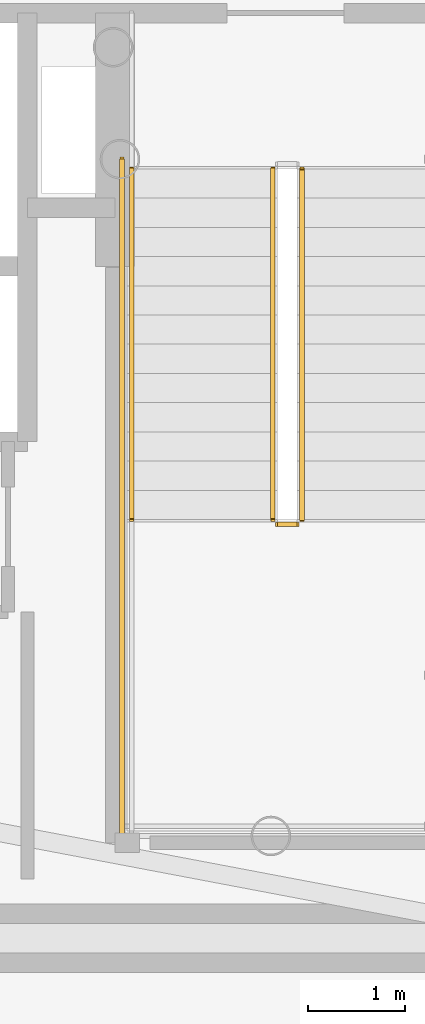
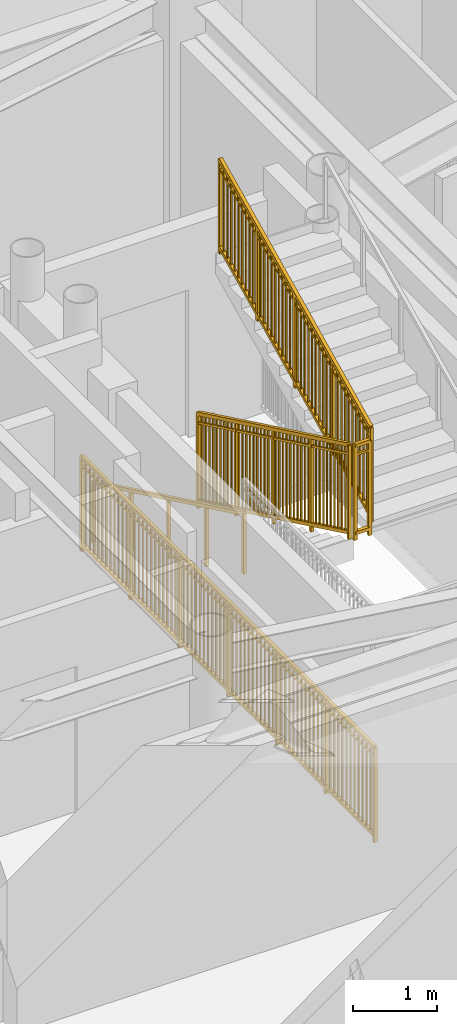
# One storey, part 14 of 16: 5 railings.
"""IFC4 building model written with IfcOpenShell, lengths in metres."""

import ifcopenshell
import ifcopenshell.guid

model = None  # the IFC model being written
_history = None  # IfcOwnerHistory: only IFC2X3 demands one
_inside = {}  # id of a spatial element -> (the spatial element, [elements in it])
_under = {}  # id of a project, library or spatial element -> (it, [spatial elements below it])
_declared = {}  # id of a project -> (the project, [libraries it declares])
_typed = {}  # id of a type object -> (the type object, [elements of that type])
_made_of = {}  # id of a material, layer set ... -> (it, [elements and type objects made of it])


def new_model(schema):
    """Start an empty IFC model of exactly this schema.

    Asked for "IFC4X3", IfcOpenShell would pick the latest addendum, in which some entities
    have other attributes; the version numbers below select the first issue.
    IFC2X3 requires an IfcOwnerHistory on every rooted entity: one is made here for all.
    """
    global model, _history
    if schema == "IFC4X3":
        model = ifcopenshell.file(schema_version=(4, 3, 0, 0))
    else:
        model = ifcopenshell.file(schema=schema)
    _inside.clear()
    _under.clear()
    _declared.clear()
    _typed.clear()
    _made_of.clear()
    _history = None
    if model.schema == "IFC2X3":
        org = make("IfcOrganization", Name="unknown")
        user = make(
            "IfcPersonAndOrganization",
            ThePerson=make("IfcPerson", FamilyName="unknown"),
            TheOrganization=org,
        )
        app = make(
            "IfcApplication",
            ApplicationDeveloper=org,
            Version="unknown",
            ApplicationFullName="unknown",
            ApplicationIdentifier="unknown",
        )
        _history = make(
            "IfcOwnerHistory",
            OwningUser=user,
            OwningApplication=app,
            ChangeAction="ADDED",
            CreationDate=0,
        )
    return model


def make(cls, **values):
    """One entity of the class cls with the attributes given. An attribute that is None is left unset."""
    return model.create_entity(
        cls, **{name: value for name, value in values.items() if value is not None}
    )


def rooted(cls, **values):
    """An entity with a GlobalId (a new one), such as an element, a storey or a relation."""
    return make(cls, GlobalId=ifcopenshell.guid.new(), OwnerHistory=_history, **values)


def si_unit(unit_type, name, prefix=None):
    """IfcSIUnit, for example si_unit("LENGTHUNIT", "METRE", prefix="MILLI")."""
    return make("IfcSIUnit", UnitType=unit_type, Prefix=prefix, Name=name)


def assignment(units):
    """IfcUnitAssignment: the units of a project."""
    return None if units is None else make("IfcUnitAssignment", Units=units)


def point(xyz):
    """IfcCartesianPoint."""
    return None if xyz is None else make("IfcCartesianPoint", Coordinates=xyz)


def direction(xyz):
    """IfcDirection."""
    return None if xyz is None else make("IfcDirection", DirectionRatios=xyz)


def frame(location, z_axis=None, x_axis=None):
    """IfcAxis2Placement3D, a coordinate frame: its origin and axes. An axis left out is left unset."""
    return make(
        "IfcAxis2Placement3D",
        Location=point(location),
        Axis=direction(z_axis),
        RefDirection=direction(x_axis),
    )


def frame_2d(location, x_axis=None):
    """IfcAxis2Placement2D, a coordinate frame in the plane: its origin and x axis."""
    return make(
        "IfcAxis2Placement2D", Location=point(location), RefDirection=direction(x_axis)
    )


def origin():
    """The frame at (0, 0, 0) with its axes left unset."""
    return frame((0.0, 0.0, 0.0))


def origin_2d():
    """The frame at (0, 0) in the plane with its x axis left unset."""
    return frame_2d((0.0, 0.0))


def place(relative_to, where):
    """IfcLocalPlacement: puts the frame where relative to a parent placement (None: the world)."""
    return make(
        "IfcLocalPlacement", PlacementRelTo=relative_to, RelativePlacement=where
    )


def context(
    kind, dimensions, precision=None, world=None, true_north=None, identifier=None
):
    """IfcGeometricRepresentationContext, for example the 3D "Model" context."""
    return make(
        "IfcGeometricRepresentationContext",
        ContextIdentifier=identifier,
        ContextType=kind,
        CoordinateSpaceDimension=dimensions,
        Precision=precision,
        WorldCoordinateSystem=world,
        TrueNorth=true_north,
    )


def subcontext(parent, identifier, kind, view, scale=None):
    """IfcGeometricRepresentationSubContext, for example "Body" below "Model"."""
    return make(
        "IfcGeometricRepresentationSubContext",
        ContextIdentifier=identifier,
        ContextType=kind,
        ParentContext=parent,
        TargetScale=scale,
        TargetView=view,
    )


def project(units=None, contexts=None):
    """IfcProject with its units and contexts."""
    return rooted(
        "IfcProject",
        Name="project",
        RepresentationContexts=contexts,
        UnitsInContext=assignment(units),
    )


def spatial(cls, under=None, at=None, **own):
    """A site, building, storey or space (cls), placed at a placement, below another one or the project."""
    s = rooted(cls, ObjectPlacement=at, **own)
    if under is not None:
        _under.setdefault(under.id(), (under, []))[1].append(s)
    return s


def profile(cls, at=None, kind="AREA", **sizes):
    """A parametric profile (cls). Its sizes go by their IFC names, for example OverallWidth=200.0."""
    return make(cls, ProfileType=kind, Position=at, **sizes)


def rectangle(**sizes):
    """IfcRectangleProfileDef."""
    return profile("IfcRectangleProfileDef", **sizes)


def extrude(swept, where, along, depth):
    """IfcExtrudedAreaSolid: the profile swept, set in the frame where, extruded along a direction by depth."""
    return make(
        "IfcExtrudedAreaSolid",
        SweptArea=swept,
        Position=where,
        ExtrudedDirection=direction(along),
        Depth=depth,
    )


def shape(context_of_items, identifier, shape_type, items):
    """IfcShapeRepresentation: the items that make up one representation, for example the "Body"."""
    return make(
        "IfcShapeRepresentation",
        ContextOfItems=context_of_items,
        RepresentationIdentifier=identifier,
        RepresentationType=shape_type,
        Items=items,
    )


def source(mapping_origin, context_of_items, identifier, shape_type, items):
    """IfcRepresentationMap: a shape defined once, which mapped items show again and again."""
    return make(
        "IfcRepresentationMap",
        MappingOrigin=mapping_origin,
        MappedRepresentation=shape(context_of_items, identifier, shape_type, items),
    )


def transform(
    local_origin,
    x_axis=None,
    y_axis=None,
    z_axis=None,
    scale=None,
    scale2=None,
    scale3=None,
    uniform=True,
):
    """IfcCartesianTransformationOperator3D, or its non-uniform kind. x_axis, y_axis, z_axis: its Axis1, 2, 3."""
    if uniform:
        return make(
            "IfcCartesianTransformationOperator3D",
            Axis1=direction(x_axis),
            Axis2=direction(y_axis),
            LocalOrigin=point(local_origin),
            Scale=scale,
            Axis3=direction(z_axis),
        )
    return make(
        "IfcCartesianTransformationOperator3DnonUniform",
        Axis1=direction(x_axis),
        Axis2=direction(y_axis),
        LocalOrigin=point(local_origin),
        Scale=scale,
        Axis3=direction(z_axis),
        Scale2=scale2,
        Scale3=scale3,
    )


def mapped(mapping_source, mapping_target):
    """IfcMappedItem: shows the shape of a source again, moved by a transform."""
    return make(
        "IfcMappedItem", MappingSource=mapping_source, MappingTarget=mapping_target
    )


def material(Name=None, Category=None):
    """IfcMaterial."""
    return make("IfcMaterial", Name=Name, Category=Category)


def made_of(thing, what):
    """Note that an element or type object is made of a material, layer set ...; save() writes the relation."""
    if what is not None:
        _made_of.setdefault(what.id(), (what, []))[1].append(thing)
    return thing


def type_object(cls, material=None, **own):
    """A type object (cls), such as IfcWallType, which elements share."""
    return made_of(rooted(cls, **own), material)


def element(
    cls,
    number,
    at=None,
    inside=None,
    cuts=None,
    type_object=None,
    material=None,
    context=None,
    identifier="Body",
    shape_type=None,
    held_by="IfcProductDefinitionShape",
    body=None,
    shapes=None,
    **own,
):
    """One element of the class cls, such as IfcWall. Its Tag is "e" and its number.

    at: its placement. inside: the storey or other place that contains it. cuts: it is an
    opening in that element (IfcRelVoidsElement). A single representation is given by context,
    identifier, shape_type and body (its items); several are given by shapes. held_by: the class
    of the entity that holds the representations. save() writes the other relations.
    """
    e = rooted(cls, Tag="e%d" % number, ObjectPlacement=at, **own)
    if body is not None:
        shapes = [shape(context, identifier, shape_type, body)]
    if shapes is not None:
        e.Representation = make(held_by, Representations=shapes)
    if inside is not None:
        _inside.setdefault(inside.id(), (inside, []))[1].append(e)
    if cuts is not None:
        rooted(
            "IfcRelVoidsElement", RelatingBuildingElement=cuts, RelatedOpeningElement=e
        )
    if type_object is not None:
        _typed.setdefault(type_object.id(), (type_object, []))[1].append(e)
    return made_of(e, material)


def aggregate(whole, parts):
    """IfcRelAggregates: a whole, such as a stair, and the parts it consists of."""
    return rooted("IfcRelAggregates", RelatingObject=whole, RelatedObjects=parts)


def save(model, path):
    """Write the relations noted so far, then the file.

    IfcRelAggregates (storeys below a building ...), IfcRelContainedInSpatialStructure (elements
    in a storey), IfcRelDefinesByType, IfcRelAssociatesMaterial and IfcRelDeclares: one each for
    every whole, place, type object, material and project.
    """
    for whole, parts in _under.values():
        aggregate(whole, parts)
    for where, things in _inside.values():
        rooted(
            "IfcRelContainedInSpatialStructure",
            RelatedElements=things,
            RelatingStructure=where,
        )
    for kind, things in _typed.values():
        rooted("IfcRelDefinesByType", RelatedObjects=things, RelatingType=kind)
    for what, things in _made_of.values():
        rooted("IfcRelAssociatesMaterial", RelatedObjects=things, RelatingMaterial=what)
    for by, libraries in _declared.values():
        rooted("IfcRelDeclares", RelatingContext=by, RelatedDefinitions=libraries)
    model.write(path)


model = new_model("IFC4")

# Units and contexts
model_context = context("Model", 3, precision=1e-05, world=origin(), true_north=direction((0.0, 1.0)))
body_context = subcontext(model_context, "Body", "Model", "MODEL_VIEW")
ifc_project = project(units=[si_unit("LENGTHUNIT", "METRE"), si_unit("AREAUNIT", "SQUARE_METRE"), si_unit("VOLUMEUNIT", "CUBIC_METRE"), si_unit("PLANEANGLEUNIT", "RADIAN"), si_unit("MASSUNIT", "GRAM", prefix="KILO")], contexts=[model_context])

# Site, building, storey
site_placement = place(None, origin())
site = spatial("IfcSite", under=ifc_project, at=site_placement, CompositionType="ELEMENT")
building_placement = place(site_placement, origin())
building = spatial("IfcBuilding", under=site, at=building_placement, Name="Linh Dai School and Residence Tower", CompositionType="ELEMENT")
storey_placement = place(building_placement, frame((0.0, 0.0, 255.300048828125)))
storey = spatial("IfcBuildingStorey", under=building, at=storey_placement, Name="L63", CompositionType="ELEMENT", Elevation=255.300048828125)

# Railings
ifc_material_1 = material(Name="Structural Steel S355JR", Category="steel")
railing_type_1 = type_object("IfcRailingType", Name="RL-ST-GUARD-1400", PredefinedType="GUARDRAIL", material=ifc_material_1)
shared_shape_1 = source(origin(), body_context, "Body", "SweptSolid", [
    extrude(rectangle(XDim=0.048095703125, YDim=0.048095703125, at=origin_2d()), frame((0.0, 0.0, 1.3759765625), z_axis=(0.0, 0.901262522062, 0.433273431364), x_axis=(-1.0, 0.0, 0.0)), (0.0, 0.0, 1.0), 3.994384765625),
    extrude(rectangle(XDim=0.048095703125, YDim=0.048095703125, at=origin_2d()), frame((0.0, 0.0, 0.10009765625), z_axis=(0.0, 0.901262522062, 0.433273431364), x_axis=(-1.0, 0.0, 0.0)), (0.0, 0.0, 1.0), 3.994384765625),
    extrude(rectangle(XDim=0.030029296875, YDim=0.030029296875, at=origin_2d()), frame((0.0, 0.0, 1.239990234375), z_axis=(0.0, 0.901262522062, 0.433273431364), x_axis=(-1.0, 0.0, 0.0)), (0.0, 0.0, 1.0), 3.994384765625),
    extrude(rectangle(XDim=0.02001953125, YDim=0.02001953125, at=origin_2d()), frame((0.0, 0.087890625, 0.142333984375)), (0.0, 0.0, 1.0), 1.251708984375),
    extrude(rectangle(XDim=0.02001953125, YDim=0.02001953125, at=origin_2d()), frame((0.0, 0.175537109375, 0.1845703125)), (0.0, 0.0, 1.0), 1.251708984375),
    extrude(rectangle(XDim=0.02001953125, YDim=0.02001953125, at=origin_2d()), frame((0.0, 0.263427734375, 0.226806640625)), (0.0, 0.0, 1.0), 1.251708984375),
    extrude(rectangle(XDim=0.02001953125, YDim=0.02001953125, at=origin_2d()), frame((0.0, 0.351318359375, 0.26904296875)), (0.0, 0.0, 1.0), 1.251708984375),
    extrude(rectangle(XDim=0.02001953125, YDim=0.02001953125, at=origin_2d()), frame((0.0, 0.43896484375, 0.311279296875)), (0.0, 0.0, 1.0), 1.251708984375),
    extrude(rectangle(XDim=0.02001953125, YDim=0.02001953125, at=origin_2d()), frame((0.0, 0.52685546875, 0.353271484375)), (0.0, 0.0, 1.0), 1.251708984375),
    extrude(rectangle(XDim=0.02001953125, YDim=0.02001953125, at=origin_2d()), frame((0.0, 0.61474609375, 0.3955078125)), (0.0, 0.0, 1.0), 1.251708984375),
    extrude(rectangle(XDim=0.02001953125, YDim=0.02001953125, at=origin_2d()), frame((0.0, 0.702392578125, 0.437744140625)), (0.0, 0.0, 1.0), 1.251708984375),
    extrude(rectangle(XDim=0.02001953125, YDim=0.02001953125, at=origin_2d()), frame((0.0, 0.790283203125, 0.47998046875)), (0.0, 0.0, 1.0), 1.251708984375),
    extrude(rectangle(XDim=0.02001953125, YDim=0.02001953125, at=origin_2d()), frame((0.0, 0.9658203125, 0.564453125)), (0.0, 0.0, 1.0), 1.251708984375),
    extrude(rectangle(XDim=0.02001953125, YDim=0.02001953125, at=origin_2d()), frame((0.0, 1.0537109375, 0.606689453125)), (0.0, 0.0, 1.0), 1.251708984375),
    extrude(rectangle(XDim=0.02001953125, YDim=0.02001953125, at=origin_2d()), frame((0.0, 1.1416015625, 0.64892578125)), (0.0, 0.0, 1.0), 1.251708984375),
    extrude(rectangle(XDim=0.02001953125, YDim=0.02001953125, at=origin_2d()), frame((0.0, 1.229248046875, 0.691162109375)), (0.0, 0.0, 1.0), 1.251708984375),
    extrude(rectangle(XDim=0.02001953125, YDim=0.02001953125, at=origin_2d()), frame((0.0, 1.317138671875, 0.7333984375)), (0.0, 0.0, 1.0), 1.251708984375),
    extrude(rectangle(XDim=0.02001953125, YDim=0.02001953125, at=origin_2d()), frame((0.0, 1.405029296875, 0.775390625)), (0.0, 0.0, 1.0), 1.251708984375),
    extrude(rectangle(XDim=0.02001953125, YDim=0.02001953125, at=origin_2d()), frame((0.0, 1.49267578125, 0.817626953125)), (0.0, 0.0, 1.0), 1.251708984375),
    extrude(rectangle(XDim=0.02001953125, YDim=0.02001953125, at=origin_2d()), frame((0.0, 1.58056640625, 0.85986328125)), (0.0, 0.0, 1.0), 1.251708984375),
    extrude(rectangle(XDim=0.02001953125, YDim=0.02001953125, at=origin_2d()), frame((0.0, 1.66845703125, 0.902099609375)), (0.0, 0.0, 1.0), 1.251708984375),
    extrude(rectangle(XDim=0.02001953125, YDim=0.02001953125, at=origin_2d()), frame((0.0, 1.756103515625, 0.9443359375)), (0.0, 0.0, 1.0), 1.251708984375),
    extrude(rectangle(XDim=0.02001953125, YDim=0.02001953125, at=origin_2d()), frame((0.0, 1.843994140625, 0.986572265625)), (0.0, 0.0, 1.0), 1.251708984375),
    extrude(rectangle(XDim=0.02001953125, YDim=0.02001953125, at=origin_2d()), frame((0.0, 1.931640625, 1.02880859375)), (0.0, 0.0, 1.0), 1.251708984375),
    extrude(rectangle(XDim=0.02001953125, YDim=0.02001953125, at=origin_2d()), frame((0.0, 2.01953125, 1.071044921875)), (0.0, 0.0, 1.0), 1.251708984375),
    extrude(rectangle(XDim=0.02001953125, YDim=0.02001953125, at=origin_2d()), frame((0.0, 2.107421875, 1.11328125)), (0.0, 0.0, 1.0), 1.251708984375),
    extrude(rectangle(XDim=0.02001953125, YDim=0.02001953125, at=origin_2d()), frame((0.0, 2.195068359375, 1.155517578125)), (0.0, 0.0, 1.0), 1.251708984375),
    extrude(rectangle(XDim=0.02001953125, YDim=0.02001953125, at=origin_2d()), frame((0.0, 2.282958984375, 1.197509765625)), (0.0, 0.0, 1.0), 1.251708984375),
    extrude(rectangle(XDim=0.02001953125, YDim=0.02001953125, at=origin_2d()), frame((0.0, 2.370849609375, 1.23974609375)), (0.0, 0.0, 1.0), 1.251708984375),
    extrude(rectangle(XDim=0.02001953125, YDim=0.02001953125, at=origin_2d()), frame((0.0, 2.45849609375, 1.281982421875)), (0.0, 0.0, 1.0), 1.251708984375),
    extrude(rectangle(XDim=0.02001953125, YDim=0.02001953125, at=origin_2d()), frame((0.0, 2.54638671875, 1.32421875)), (0.0, 0.0, 1.0), 1.251708984375),
    extrude(rectangle(XDim=0.02001953125, YDim=0.02001953125, at=origin_2d()), frame((0.0, 2.63427734375, 1.366455078125)), (0.0, 0.0, 1.0), 1.251708984375),
    extrude(rectangle(XDim=0.02001953125, YDim=0.02001953125, at=origin_2d()), frame((0.0, 2.809814453125, 1.450927734375)), (0.0, 0.0, 1.0), 1.251708984375),
    extrude(rectangle(XDim=0.02001953125, YDim=0.02001953125, at=origin_2d()), frame((0.0, 2.897705078125, 1.4931640625)), (0.0, 0.0, 1.0), 1.251708984375),
    extrude(rectangle(XDim=0.02001953125, YDim=0.02001953125, at=origin_2d()), frame((0.0, 2.9853515625, 1.535400390625)), (0.0, 0.0, 1.0), 1.251708984375),
    extrude(rectangle(XDim=0.02001953125, YDim=0.02001953125, at=origin_2d()), frame((0.0, 3.0732421875, 1.57763671875)), (0.0, 0.0, 1.0), 1.251708984375),
    extrude(rectangle(XDim=0.02001953125, YDim=0.02001953125, at=origin_2d()), frame((0.0, 3.1611328125, 1.61962890625)), (0.0, 0.0, 1.0), 1.251708984375),
    extrude(rectangle(XDim=0.02001953125, YDim=0.02001953125, at=origin_2d()), frame((0.0, 3.248779296875, 1.661865234375)), (0.0, 0.0, 1.0), 1.251708984375),
    extrude(rectangle(XDim=0.02001953125, YDim=0.02001953125, at=origin_2d()), frame((0.0, 3.336669921875, 1.7041015625)), (0.0, 0.0, 1.0), 1.251708984375),
    extrude(rectangle(XDim=0.02001953125, YDim=0.02001953125, at=origin_2d()), frame((0.0, 3.424560546875, 1.746337890625)), (0.0, 0.0, 1.0), 1.251708984375),
    extrude(rectangle(XDim=0.02001953125, YDim=0.02001953125, at=origin_2d()), frame((0.0, 3.51220703125, 1.78857421875)), (0.0, 0.0, 1.0), 1.251708984375),
    extrude(rectangle(XDim=0.0419921875, YDim=0.0419921875, at=origin_2d()), origin(), (0.0, 0.0, 1.0), 1.3759765625),
    extrude(rectangle(XDim=0.0419921875, YDim=0.0419921875, at=origin_2d()), frame((0.0, 0.89990234375, 0.4326171875)), (0.0, 0.0, 1.0), 1.3759765625),
    extrude(rectangle(XDim=0.0419921875, YDim=0.0419921875, at=origin_2d()), frame((0.0, 1.800048828125, 0.865234375)), (0.0, 0.0, 1.0), 1.3759765625),
    extrude(rectangle(XDim=0.0419921875, YDim=0.0419921875, at=origin_2d()), frame((0.0, 2.7001953125, 1.298095703125)), (0.0, 0.0, 1.0), 1.3759765625),
    extrude(rectangle(XDim=0.0419921875, YDim=0.0419921875, at=origin_2d()), frame((0.0, 3.60009765625, 1.730712890625)), (0.0, 0.0, 1.0), 1.3759765625),
])
railing_1_placement = place(storey_placement, frame((42.820068359375, 24.64990234375, 2.019287109375)))
element("IfcRailing", 1, at=railing_1_placement, inside=storey, type_object=railing_type_1, Name="L63 ST2 stair guard 6", PredefinedType="GUARDRAIL", context=body_context, shape_type="MappedRepresentation", body=[
    mapped(shared_shape_1, transform((0.0, 0.0, 0.0), x_axis=(1.0, 0.0, 0.0), y_axis=(0.0, 1.0, 0.0), z_axis=(0.0, 0.0, 1.0), scale=1.0)),
])
shared_shape_2 = source(origin(), body_context, "Body", "SweptSolid", [
    extrude(rectangle(XDim=0.048095703125, YDim=0.048095703125, at=origin_2d()), frame((0.0, 0.0, 1.3759765625), z_axis=(0.0, -0.901262522062, 0.433273431364), x_axis=(1.0, 0.0, 0.0)), (0.0, 0.0, 1.0), 3.994384765625),
    extrude(rectangle(XDim=0.048095703125, YDim=0.048095703125, at=origin_2d()), frame((0.0, 0.0, 0.10009765625), z_axis=(0.0, -0.901262522062, 0.433273431364), x_axis=(1.0, 0.0, 0.0)), (0.0, 0.0, 1.0), 3.994384765625),
    extrude(rectangle(XDim=0.030029296875, YDim=0.030029296875, at=origin_2d()), frame((0.0, 0.0, 1.239990234375), z_axis=(0.0, -0.901262522062, 0.433273431364), x_axis=(1.0, 0.0, 0.0)), (0.0, 0.0, 1.0), 3.994384765625),
    extrude(rectangle(XDim=0.02001953125, YDim=0.02001953125, at=origin_2d()), frame((0.0, -0.087890625, 0.142333984375)), (0.0, 0.0, 1.0), 1.251708984375),
    extrude(rectangle(XDim=0.02001953125, YDim=0.02001953125, at=origin_2d()), frame((0.0, -0.175537109375, 0.1845703125)), (0.0, 0.0, 1.0), 1.251708984375),
    extrude(rectangle(XDim=0.02001953125, YDim=0.02001953125, at=origin_2d()), frame((0.0, -0.263427734375, 0.226806640625)), (0.0, 0.0, 1.0), 1.251708984375),
    extrude(rectangle(XDim=0.02001953125, YDim=0.02001953125, at=origin_2d()), frame((0.0, -0.351318359375, 0.26904296875)), (0.0, 0.0, 1.0), 1.251708984375),
    extrude(rectangle(XDim=0.02001953125, YDim=0.02001953125, at=origin_2d()), frame((0.0, -0.43896484375, 0.311279296875)), (0.0, 0.0, 1.0), 1.251708984375),
    extrude(rectangle(XDim=0.02001953125, YDim=0.02001953125, at=origin_2d()), frame((0.0, -0.52685546875, 0.353271484375)), (0.0, 0.0, 1.0), 1.251708984375),
    extrude(rectangle(XDim=0.02001953125, YDim=0.02001953125, at=origin_2d()), frame((0.0, -0.61474609375, 0.3955078125)), (0.0, 0.0, 1.0), 1.251708984375),
    extrude(rectangle(XDim=0.02001953125, YDim=0.02001953125, at=origin_2d()), frame((0.0, -0.702392578125, 0.437744140625)), (0.0, 0.0, 1.0), 1.251708984375),
    extrude(rectangle(XDim=0.02001953125, YDim=0.02001953125, at=origin_2d()), frame((0.0, -0.790283203125, 0.47998046875)), (0.0, 0.0, 1.0), 1.251708984375),
    extrude(rectangle(XDim=0.02001953125, YDim=0.02001953125, at=origin_2d()), frame((0.0, -0.9658203125, 0.564453125)), (0.0, 0.0, 1.0), 1.251708984375),
    extrude(rectangle(XDim=0.02001953125, YDim=0.02001953125, at=origin_2d()), frame((0.0, -1.0537109375, 0.606689453125)), (0.0, 0.0, 1.0), 1.251708984375),
    extrude(rectangle(XDim=0.02001953125, YDim=0.02001953125, at=origin_2d()), frame((0.0, -1.1416015625, 0.64892578125)), (0.0, 0.0, 1.0), 1.251708984375),
    extrude(rectangle(XDim=0.02001953125, YDim=0.02001953125, at=origin_2d()), frame((0.0, -1.229248046875, 0.691162109375)), (0.0, 0.0, 1.0), 1.251708984375),
    extrude(rectangle(XDim=0.02001953125, YDim=0.02001953125, at=origin_2d()), frame((0.0, -1.317138671875, 0.7333984375)), (0.0, 0.0, 1.0), 1.251708984375),
    extrude(rectangle(XDim=0.02001953125, YDim=0.02001953125, at=origin_2d()), frame((0.0, -1.405029296875, 0.775390625)), (0.0, 0.0, 1.0), 1.251708984375),
    extrude(rectangle(XDim=0.02001953125, YDim=0.02001953125, at=origin_2d()), frame((0.0, -1.49267578125, 0.817626953125)), (0.0, 0.0, 1.0), 1.251708984375),
    extrude(rectangle(XDim=0.02001953125, YDim=0.02001953125, at=origin_2d()), frame((0.0, -1.58056640625, 0.85986328125)), (0.0, 0.0, 1.0), 1.251708984375),
    extrude(rectangle(XDim=0.02001953125, YDim=0.02001953125, at=origin_2d()), frame((0.0, -1.66845703125, 0.902099609375)), (0.0, 0.0, 1.0), 1.251708984375),
    extrude(rectangle(XDim=0.02001953125, YDim=0.02001953125, at=origin_2d()), frame((0.0, -1.756103515625, 0.9443359375)), (0.0, 0.0, 1.0), 1.251708984375),
    extrude(rectangle(XDim=0.02001953125, YDim=0.02001953125, at=origin_2d()), frame((0.0, -1.843994140625, 0.986572265625)), (0.0, 0.0, 1.0), 1.251708984375),
    extrude(rectangle(XDim=0.02001953125, YDim=0.02001953125, at=origin_2d()), frame((0.0, -1.931640625, 1.02880859375)), (0.0, 0.0, 1.0), 1.251708984375),
    extrude(rectangle(XDim=0.02001953125, YDim=0.02001953125, at=origin_2d()), frame((0.0, -2.01953125, 1.071044921875)), (0.0, 0.0, 1.0), 1.251708984375),
    extrude(rectangle(XDim=0.02001953125, YDim=0.02001953125, at=origin_2d()), frame((0.0, -2.107421875, 1.11328125)), (0.0, 0.0, 1.0), 1.251708984375),
    extrude(rectangle(XDim=0.02001953125, YDim=0.02001953125, at=origin_2d()), frame((0.0, -2.195068359375, 1.155517578125)), (0.0, 0.0, 1.0), 1.251708984375),
    extrude(rectangle(XDim=0.02001953125, YDim=0.02001953125, at=origin_2d()), frame((0.0, -2.282958984375, 1.197509765625)), (0.0, 0.0, 1.0), 1.251708984375),
    extrude(rectangle(XDim=0.02001953125, YDim=0.02001953125, at=origin_2d()), frame((0.0, -2.370849609375, 1.23974609375)), (0.0, 0.0, 1.0), 1.251708984375),
    extrude(rectangle(XDim=0.02001953125, YDim=0.02001953125, at=origin_2d()), frame((0.0, -2.45849609375, 1.281982421875)), (0.0, 0.0, 1.0), 1.251708984375),
    extrude(rectangle(XDim=0.02001953125, YDim=0.02001953125, at=origin_2d()), frame((0.0, -2.54638671875, 1.32421875)), (0.0, 0.0, 1.0), 1.251708984375),
    extrude(rectangle(XDim=0.02001953125, YDim=0.02001953125, at=origin_2d()), frame((0.0, -2.63427734375, 1.366455078125)), (0.0, 0.0, 1.0), 1.251708984375),
    extrude(rectangle(XDim=0.02001953125, YDim=0.02001953125, at=origin_2d()), frame((0.0, -2.809814453125, 1.450927734375)), (0.0, 0.0, 1.0), 1.251708984375),
    extrude(rectangle(XDim=0.02001953125, YDim=0.02001953125, at=origin_2d()), frame((0.0, -2.897705078125, 1.4931640625)), (0.0, 0.0, 1.0), 1.251708984375),
    extrude(rectangle(XDim=0.02001953125, YDim=0.02001953125, at=origin_2d()), frame((0.0, -2.9853515625, 1.535400390625)), (0.0, 0.0, 1.0), 1.251708984375),
    extrude(rectangle(XDim=0.02001953125, YDim=0.02001953125, at=origin_2d()), frame((0.0, -3.0732421875, 1.57763671875)), (0.0, 0.0, 1.0), 1.251708984375),
    extrude(rectangle(XDim=0.02001953125, YDim=0.02001953125, at=origin_2d()), frame((0.0, -3.1611328125, 1.61962890625)), (0.0, 0.0, 1.0), 1.251708984375),
    extrude(rectangle(XDim=0.02001953125, YDim=0.02001953125, at=origin_2d()), frame((0.0, -3.248779296875, 1.661865234375)), (0.0, 0.0, 1.0), 1.251708984375),
    extrude(rectangle(XDim=0.02001953125, YDim=0.02001953125, at=origin_2d()), frame((0.0, -3.336669921875, 1.7041015625)), (0.0, 0.0, 1.0), 1.251708984375),
    extrude(rectangle(XDim=0.02001953125, YDim=0.02001953125, at=origin_2d()), frame((0.0, -3.424560546875, 1.746337890625)), (0.0, 0.0, 1.0), 1.251708984375),
    extrude(rectangle(XDim=0.02001953125, YDim=0.02001953125, at=origin_2d()), frame((0.0, -3.51220703125, 1.78857421875)), (0.0, 0.0, 1.0), 1.251708984375),
    extrude(rectangle(XDim=0.0419921875, YDim=0.0419921875, at=origin_2d()), origin(), (0.0, 0.0, 1.0), 1.3759765625),
    extrude(rectangle(XDim=0.0419921875, YDim=0.0419921875, at=origin_2d()), frame((0.0, -0.89990234375, 0.4326171875)), (0.0, 0.0, 1.0), 1.3759765625),
    extrude(rectangle(XDim=0.0419921875, YDim=0.0419921875, at=origin_2d()), frame((0.0, -1.800048828125, 0.865234375)), (0.0, 0.0, 1.0), 1.3759765625),
    extrude(rectangle(XDim=0.0419921875, YDim=0.0419921875, at=origin_2d()), frame((0.0, -2.7001953125, 1.298095703125)), (0.0, 0.0, 1.0), 1.3759765625),
    extrude(rectangle(XDim=0.0419921875, YDim=0.0419921875, at=origin_2d()), frame((0.0, -3.60009765625, 1.730712890625)), (0.0, 0.0, 1.0), 1.3759765625),
])
railing_2_placement = place(storey_placement, frame((42.52001953125, 28.25, 0.144287109375)))
element("IfcRailing", 2, at=railing_2_placement, inside=storey, type_object=railing_type_1, Name="L63 ST2 stair guard 1", PredefinedType="GUARDRAIL", context=body_context, shape_type="MappedRepresentation", body=[
    mapped(shared_shape_2, transform((0.0, 0.0, 0.0), x_axis=(1.0, 0.0, 0.0), y_axis=(0.0, 1.0, 0.0), z_axis=(0.0, 0.0, 1.0), scale=1.0)),
])
ifc_material_2 = material(Name="Brushed Stainless Steel Handrail", Category="steel")
railing_type_2 = type_object("IfcRailingType", Name="RL-ST-HANDRAIL-900", PredefinedType="HANDRAIL", material=ifc_material_2)
shared_shape_3 = source(origin(), body_context, "Body", "SweptSolid", [
    extrude(rectangle(XDim=0.048095703125, YDim=0.048095703125, at=origin_2d()), frame((0.0, 0.0, 0.8759765625), z_axis=(0.0, -0.901262522062, 0.433273431364), x_axis=(1.0, 0.0, 0.0)), (0.0, 0.0, 1.0), 3.994384765625),
    extrude(rectangle(XDim=0.0419921875, YDim=0.0419921875, at=origin_2d()), origin(), (0.0, 0.0, 1.0), 0.8759765625),
    extrude(rectangle(XDim=0.0419921875, YDim=0.0419921875, at=origin_2d()), frame((0.0, -0.89990234375, 0.4326171875)), (0.0, 0.0, 1.0), 0.8759765625),
    extrude(rectangle(XDim=0.0419921875, YDim=0.0419921875, at=origin_2d()), frame((0.0, -1.800048828125, 0.865234375)), (0.0, 0.0, 1.0), 0.8759765625),
    extrude(rectangle(XDim=0.0419921875, YDim=0.0419921875, at=origin_2d()), frame((0.0, -2.7001953125, 1.298095703125)), (0.0, 0.0, 1.0), 0.8759765625),
    extrude(rectangle(XDim=0.0419921875, YDim=0.0419921875, at=origin_2d()), frame((0.0, -3.60009765625, 1.730712890625)), (0.0, 0.0, 1.0), 0.8759765625),
])
railing_3_placement = place(storey_placement, frame((41.070068359375, 28.25, 0.144287109375)))
element("IfcRailing", 3, at=railing_3_placement, inside=storey, type_object=railing_type_2, Name="L63 ST2 stair handrail 1", PredefinedType="HANDRAIL", context=body_context, shape_type="MappedRepresentation", body=[
    mapped(shared_shape_3, transform((0.0, 0.0, 0.0), x_axis=(1.0, 0.0, 0.0), y_axis=(0.0, 1.0, 0.0), z_axis=(0.0, 0.0, 1.0), scale=1.0)),
])
shared_shape_4 = source(origin(), body_context, "Body", "SweptSolid", [
    extrude(rectangle(XDim=0.048095703125, YDim=0.048095703125, at=origin_2d()), frame((0.0, 0.0, 1.3759765625), z_axis=(1.0, 0.0, 0.0), x_axis=(0.0, 1.0, 0.0)), (0.0, 0.0, 1.0), 0.199951171875),
    extrude(rectangle(XDim=0.048095703125, YDim=0.048095703125, at=origin_2d()), frame((0.0, 0.0, 0.10009765625), z_axis=(1.0, 0.0, 0.0), x_axis=(0.0, 1.0, 0.0)), (0.0, 0.0, 1.0), 0.199951171875),
    extrude(rectangle(XDim=0.030029296875, YDim=0.030029296875, at=origin_2d()), frame((0.0, 0.0, 1.239990234375), z_axis=(1.0, 0.0, 0.0), x_axis=(0.0, 1.0, 0.0)), (0.0, 0.0, 1.0), 0.199951171875),
    extrude(rectangle(XDim=0.0419921875, YDim=0.0419921875, at=origin_2d()), origin(), (0.0, 0.0, 1.0), 1.3759765625),
    extrude(rectangle(XDim=0.0419921875, YDim=0.0419921875, at=origin_2d()), frame((0.199951171875, 0.0, 0.0)), (0.0, 0.0, 1.0), 1.3759765625),
])
railing_4_placement = place(storey_placement, frame((42.570068359375, 24.60009765625, 1.875)))
element("IfcRailing", 4, at=railing_4_placement, inside=storey, type_object=railing_type_1, Name="L63 ST2 stair guard 2", PredefinedType="GUARDRAIL", context=body_context, shape_type="MappedRepresentation", body=[
    mapped(shared_shape_4, transform((0.0, 0.0, 0.0), x_axis=(1.0, 0.0, 0.0), y_axis=(0.0, 1.0, 0.0), z_axis=(0.0, 0.0, 1.0), scale=1.0)),
])
shared_shape_5 = source(origin(), body_context, "Body", "SweptSolid", [
    extrude(rectangle(XDim=0.048095703125, YDim=0.048095703125, at=origin_2d()), frame((0.0, 0.0, 1.3759765625), z_axis=(0.0, -1.0, 0.0), x_axis=(1.0, 0.0, 0.0)), (0.0, 0.0, 1.0), 7.0),
    extrude(rectangle(XDim=0.048095703125, YDim=0.048095703125, at=origin_2d()), frame((0.0, 0.0, 0.10009765625), z_axis=(0.0, -1.0, 0.0), x_axis=(1.0, 0.0, 0.0)), (0.0, 0.0, 1.0), 7.0),
    extrude(rectangle(XDim=0.030029296875, YDim=0.030029296875, at=origin_2d()), frame((0.0, 0.0, 1.239990234375), z_axis=(0.0, -1.0, 0.0), x_axis=(1.0, 0.0, 0.0)), (0.0, 0.0, 1.0), 7.0),
    extrude(rectangle(XDim=0.02001953125, YDim=0.02001953125, at=origin_2d()), frame((0.0, -0.09716796875, 0.10009765625)), (0.0, 0.0, 1.0), 1.251708984375),
    extrude(rectangle(XDim=0.02001953125, YDim=0.02001953125, at=origin_2d()), frame((0.0, -0.1943359375, 0.10009765625)), (0.0, 0.0, 1.0), 1.251708984375),
    extrude(rectangle(XDim=0.02001953125, YDim=0.02001953125, at=origin_2d()), frame((0.0, -0.291748046875, 0.10009765625)), (0.0, 0.0, 1.0), 1.251708984375),
    extrude(rectangle(XDim=0.02001953125, YDim=0.02001953125, at=origin_2d()), frame((0.0, -0.388916015625, 0.10009765625)), (0.0, 0.0, 1.0), 1.251708984375),
    extrude(rectangle(XDim=0.02001953125, YDim=0.02001953125, at=origin_2d()), frame((0.0, -0.486083984375, 0.10009765625)), (0.0, 0.0, 1.0), 1.251708984375),
    extrude(rectangle(XDim=0.02001953125, YDim=0.02001953125, at=origin_2d()), frame((0.0, -0.583251953125, 0.10009765625)), (0.0, 0.0, 1.0), 1.251708984375),
    extrude(rectangle(XDim=0.02001953125, YDim=0.02001953125, at=origin_2d()), frame((0.0, -0.6806640625, 0.10009765625)), (0.0, 0.0, 1.0), 1.251708984375),
    extrude(rectangle(XDim=0.02001953125, YDim=0.02001953125, at=origin_2d()), frame((0.0, -0.77783203125, 0.10009765625)), (0.0, 0.0, 1.0), 1.251708984375),
    extrude(rectangle(XDim=0.02001953125, YDim=0.02001953125, at=origin_2d()), frame((0.0, -0.875, 0.10009765625)), (0.0, 0.0, 1.0), 1.251708984375),
    extrude(rectangle(XDim=0.02001953125, YDim=0.02001953125, at=origin_2d()), frame((0.0, -0.97216796875, 0.10009765625)), (0.0, 0.0, 1.0), 1.251708984375),
    extrude(rectangle(XDim=0.02001953125, YDim=0.02001953125, at=origin_2d()), frame((0.0, -1.0693359375, 0.10009765625)), (0.0, 0.0, 1.0), 1.251708984375),
    extrude(rectangle(XDim=0.02001953125, YDim=0.02001953125, at=origin_2d()), frame((0.0, -1.263916015625, 0.10009765625)), (0.0, 0.0, 1.0), 1.251708984375),
    extrude(rectangle(XDim=0.02001953125, YDim=0.02001953125, at=origin_2d()), frame((0.0, -1.361083984375, 0.10009765625)), (0.0, 0.0, 1.0), 1.251708984375),
    extrude(rectangle(XDim=0.02001953125, YDim=0.02001953125, at=origin_2d()), frame((0.0, -1.458251953125, 0.10009765625)), (0.0, 0.0, 1.0), 1.251708984375),
    extrude(rectangle(XDim=0.02001953125, YDim=0.02001953125, at=origin_2d()), frame((0.0, -1.5556640625, 0.10009765625)), (0.0, 0.0, 1.0), 1.251708984375),
    extrude(rectangle(XDim=0.02001953125, YDim=0.02001953125, at=origin_2d()), frame((0.0, -1.65283203125, 0.10009765625)), (0.0, 0.0, 1.0), 1.251708984375),
    extrude(rectangle(XDim=0.02001953125, YDim=0.02001953125, at=origin_2d()), frame((0.0, -1.75, 0.10009765625)), (0.0, 0.0, 1.0), 1.251708984375),
    extrude(rectangle(XDim=0.02001953125, YDim=0.02001953125, at=origin_2d()), frame((0.0, -1.84716796875, 0.10009765625)), (0.0, 0.0, 1.0), 1.251708984375),
    extrude(rectangle(XDim=0.02001953125, YDim=0.02001953125, at=origin_2d()), frame((0.0, -1.9443359375, 0.10009765625)), (0.0, 0.0, 1.0), 1.251708984375),
    extrude(rectangle(XDim=0.02001953125, YDim=0.02001953125, at=origin_2d()), frame((0.0, -2.041748046875, 0.10009765625)), (0.0, 0.0, 1.0), 1.251708984375),
    extrude(rectangle(XDim=0.02001953125, YDim=0.02001953125, at=origin_2d()), frame((0.0, -2.138916015625, 0.10009765625)), (0.0, 0.0, 1.0), 1.251708984375),
    extrude(rectangle(XDim=0.02001953125, YDim=0.02001953125, at=origin_2d()), frame((0.0, -2.236083984375, 0.10009765625)), (0.0, 0.0, 1.0), 1.251708984375),
    extrude(rectangle(XDim=0.02001953125, YDim=0.02001953125, at=origin_2d()), frame((0.0, -2.4306640625, 0.10009765625)), (0.0, 0.0, 1.0), 1.251708984375),
    extrude(rectangle(XDim=0.02001953125, YDim=0.02001953125, at=origin_2d()), frame((0.0, -2.52783203125, 0.10009765625)), (0.0, 0.0, 1.0), 1.251708984375),
    extrude(rectangle(XDim=0.02001953125, YDim=0.02001953125, at=origin_2d()), frame((0.0, -2.625, 0.10009765625)), (0.0, 0.0, 1.0), 1.251708984375),
    extrude(rectangle(XDim=0.02001953125, YDim=0.02001953125, at=origin_2d()), frame((0.0, -2.72216796875, 0.10009765625)), (0.0, 0.0, 1.0), 1.251708984375),
    extrude(rectangle(XDim=0.02001953125, YDim=0.02001953125, at=origin_2d()), frame((0.0, -2.8193359375, 0.10009765625)), (0.0, 0.0, 1.0), 1.251708984375),
    extrude(rectangle(XDim=0.02001953125, YDim=0.02001953125, at=origin_2d()), frame((0.0, -2.916748046875, 0.10009765625)), (0.0, 0.0, 1.0), 1.251708984375),
    extrude(rectangle(XDim=0.02001953125, YDim=0.02001953125, at=origin_2d()), frame((0.0, -3.013916015625, 0.10009765625)), (0.0, 0.0, 1.0), 1.251708984375),
    extrude(rectangle(XDim=0.02001953125, YDim=0.02001953125, at=origin_2d()), frame((0.0, -3.111083984375, 0.10009765625)), (0.0, 0.0, 1.0), 1.251708984375),
    extrude(rectangle(XDim=0.02001953125, YDim=0.02001953125, at=origin_2d()), frame((0.0, -3.208251953125, 0.10009765625)), (0.0, 0.0, 1.0), 1.251708984375),
    extrude(rectangle(XDim=0.02001953125, YDim=0.02001953125, at=origin_2d()), frame((0.0, -3.3056640625, 0.10009765625)), (0.0, 0.0, 1.0), 1.251708984375),
    extrude(rectangle(XDim=0.02001953125, YDim=0.02001953125, at=origin_2d()), frame((0.0, -3.40283203125, 0.10009765625)), (0.0, 0.0, 1.0), 1.251708984375),
    extrude(rectangle(XDim=0.02001953125, YDim=0.02001953125, at=origin_2d()), frame((0.0, -3.59716796875, 0.10009765625)), (0.0, 0.0, 1.0), 1.251708984375),
    extrude(rectangle(XDim=0.02001953125, YDim=0.02001953125, at=origin_2d()), frame((0.0, -3.6943359375, 0.10009765625)), (0.0, 0.0, 1.0), 1.251708984375),
    extrude(rectangle(XDim=0.02001953125, YDim=0.02001953125, at=origin_2d()), frame((0.0, -3.791748046875, 0.10009765625)), (0.0, 0.0, 1.0), 1.251708984375),
    extrude(rectangle(XDim=0.02001953125, YDim=0.02001953125, at=origin_2d()), frame((0.0, -3.888916015625, 0.10009765625)), (0.0, 0.0, 1.0), 1.251708984375),
    extrude(rectangle(XDim=0.02001953125, YDim=0.02001953125, at=origin_2d()), frame((0.0, -3.986083984375, 0.10009765625)), (0.0, 0.0, 1.0), 1.251708984375),
    extrude(rectangle(XDim=0.02001953125, YDim=0.02001953125, at=origin_2d()), frame((0.0, -4.083251953125, 0.10009765625)), (0.0, 0.0, 1.0), 1.251708984375),
    extrude(rectangle(XDim=0.02001953125, YDim=0.02001953125, at=origin_2d()), frame((0.0, -4.1806640625, 0.10009765625)), (0.0, 0.0, 1.0), 1.251708984375),
    extrude(rectangle(XDim=0.02001953125, YDim=0.02001953125, at=origin_2d()), frame((0.0, -4.27783203125, 0.10009765625)), (0.0, 0.0, 1.0), 1.251708984375),
    extrude(rectangle(XDim=0.02001953125, YDim=0.02001953125, at=origin_2d()), frame((0.0, -4.375, 0.10009765625)), (0.0, 0.0, 1.0), 1.251708984375),
    extrude(rectangle(XDim=0.02001953125, YDim=0.02001953125, at=origin_2d()), frame((0.0, -4.47216796875, 0.10009765625)), (0.0, 0.0, 1.0), 1.251708984375),
    extrude(rectangle(XDim=0.02001953125, YDim=0.02001953125, at=origin_2d()), frame((0.0, -4.5693359375, 0.10009765625)), (0.0, 0.0, 1.0), 1.251708984375),
    extrude(rectangle(XDim=0.02001953125, YDim=0.02001953125, at=origin_2d()), frame((0.0, -4.763916015625, 0.10009765625)), (0.0, 0.0, 1.0), 1.251708984375),
    extrude(rectangle(XDim=0.02001953125, YDim=0.02001953125, at=origin_2d()), frame((0.0, -4.861083984375, 0.10009765625)), (0.0, 0.0, 1.0), 1.251708984375),
    extrude(rectangle(XDim=0.02001953125, YDim=0.02001953125, at=origin_2d()), frame((0.0, -4.958251953125, 0.10009765625)), (0.0, 0.0, 1.0), 1.251708984375),
    extrude(rectangle(XDim=0.02001953125, YDim=0.02001953125, at=origin_2d()), frame((0.0, -5.0556640625, 0.10009765625)), (0.0, 0.0, 1.0), 1.251708984375),
    extrude(rectangle(XDim=0.02001953125, YDim=0.02001953125, at=origin_2d()), frame((0.0, -5.15283203125, 0.10009765625)), (0.0, 0.0, 1.0), 1.251708984375),
    extrude(rectangle(XDim=0.02001953125, YDim=0.02001953125, at=origin_2d()), frame((0.0, -5.25, 0.10009765625)), (0.0, 0.0, 1.0), 1.251708984375),
    extrude(rectangle(XDim=0.02001953125, YDim=0.02001953125, at=origin_2d()), frame((0.0, -5.34716796875, 0.10009765625)), (0.0, 0.0, 1.0), 1.251708984375),
    extrude(rectangle(XDim=0.02001953125, YDim=0.02001953125, at=origin_2d()), frame((0.0, -5.4443359375, 0.10009765625)), (0.0, 0.0, 1.0), 1.251708984375),
    extrude(rectangle(XDim=0.02001953125, YDim=0.02001953125, at=origin_2d()), frame((0.0, -5.541748046875, 0.10009765625)), (0.0, 0.0, 1.0), 1.251708984375),
    extrude(rectangle(XDim=0.02001953125, YDim=0.02001953125, at=origin_2d()), frame((0.0, -5.638916015625, 0.10009765625)), (0.0, 0.0, 1.0), 1.251708984375),
    extrude(rectangle(XDim=0.02001953125, YDim=0.02001953125, at=origin_2d()), frame((0.0, -5.736083984375, 0.10009765625)), (0.0, 0.0, 1.0), 1.251708984375),
    extrude(rectangle(XDim=0.02001953125, YDim=0.02001953125, at=origin_2d()), frame((0.0, -5.9306640625, 0.10009765625)), (0.0, 0.0, 1.0), 1.251708984375),
    extrude(rectangle(XDim=0.02001953125, YDim=0.02001953125, at=origin_2d()), frame((0.0, -6.02783203125, 0.10009765625)), (0.0, 0.0, 1.0), 1.251708984375),
    extrude(rectangle(XDim=0.02001953125, YDim=0.02001953125, at=origin_2d()), frame((0.0, -6.125, 0.10009765625)), (0.0, 0.0, 1.0), 1.251708984375),
    extrude(rectangle(XDim=0.02001953125, YDim=0.02001953125, at=origin_2d()), frame((0.0, -6.22216796875, 0.10009765625)), (0.0, 0.0, 1.0), 1.251708984375),
    extrude(rectangle(XDim=0.02001953125, YDim=0.02001953125, at=origin_2d()), frame((0.0, -6.3193359375, 0.10009765625)), (0.0, 0.0, 1.0), 1.251708984375),
    extrude(rectangle(XDim=0.02001953125, YDim=0.02001953125, at=origin_2d()), frame((0.0, -6.416748046875, 0.10009765625)), (0.0, 0.0, 1.0), 1.251708984375),
    extrude(rectangle(XDim=0.02001953125, YDim=0.02001953125, at=origin_2d()), frame((0.0, -6.513916015625, 0.10009765625)), (0.0, 0.0, 1.0), 1.251708984375),
    extrude(rectangle(XDim=0.02001953125, YDim=0.02001953125, at=origin_2d()), frame((0.0, -6.611083984375, 0.10009765625)), (0.0, 0.0, 1.0), 1.251708984375),
    extrude(rectangle(XDim=0.02001953125, YDim=0.02001953125, at=origin_2d()), frame((0.0, -6.708251953125, 0.10009765625)), (0.0, 0.0, 1.0), 1.251708984375),
    extrude(rectangle(XDim=0.02001953125, YDim=0.02001953125, at=origin_2d()), frame((0.0, -6.8056640625, 0.10009765625)), (0.0, 0.0, 1.0), 1.251708984375),
    extrude(rectangle(XDim=0.02001953125, YDim=0.02001953125, at=origin_2d()), frame((0.0, -6.90283203125, 0.10009765625)), (0.0, 0.0, 1.0), 1.251708984375),
    extrude(rectangle(XDim=0.0419921875, YDim=0.0419921875, at=origin_2d()), origin(), (0.0, 0.0, 1.0), 1.3759765625),
    extrude(rectangle(XDim=0.0419921875, YDim=0.0419921875, at=origin_2d()), frame((0.0, -1.166748046875, 0.0)), (0.0, 0.0, 1.0), 1.3759765625),
    extrude(rectangle(XDim=0.0419921875, YDim=0.0419921875, at=origin_2d()), frame((0.0, -2.333251953125, 0.0)), (0.0, 0.0, 1.0), 1.3759765625),
    extrude(rectangle(XDim=0.0419921875, YDim=0.0419921875, at=origin_2d()), frame((0.0, -3.5, 0.0)), (0.0, 0.0, 1.0), 1.3759765625),
    extrude(rectangle(XDim=0.0419921875, YDim=0.0419921875, at=origin_2d()), frame((0.0, -4.666748046875, 0.0)), (0.0, 0.0, 1.0), 1.3759765625),
    extrude(rectangle(XDim=0.0419921875, YDim=0.0419921875, at=origin_2d()), frame((0.0, -5.833251953125, 0.0)), (0.0, 0.0, 1.0), 1.3759765625),
    extrude(rectangle(XDim=0.0419921875, YDim=0.0419921875, at=origin_2d()), frame((0.0, -7.0, 0.0)), (0.0, 0.0, 1.0), 1.3759765625),
])
railing_5_placement = place(storey_placement, frame((40.969970703125, 28.35009765625, 0.0)))
element("IfcRailing", 5, at=railing_5_placement, inside=storey, type_object=railing_type_1, Name="L63 ST2 stair guard 10", PredefinedType="GUARDRAIL", context=body_context, shape_type="MappedRepresentation", body=[
    mapped(shared_shape_5, transform((0.0, 0.0, 0.0), x_axis=(1.0, 0.0, 0.0), y_axis=(0.0, 1.0, 0.0), z_axis=(0.0, 0.0, 1.0), scale=1.0)),
])

save(model, "model.ifc")
